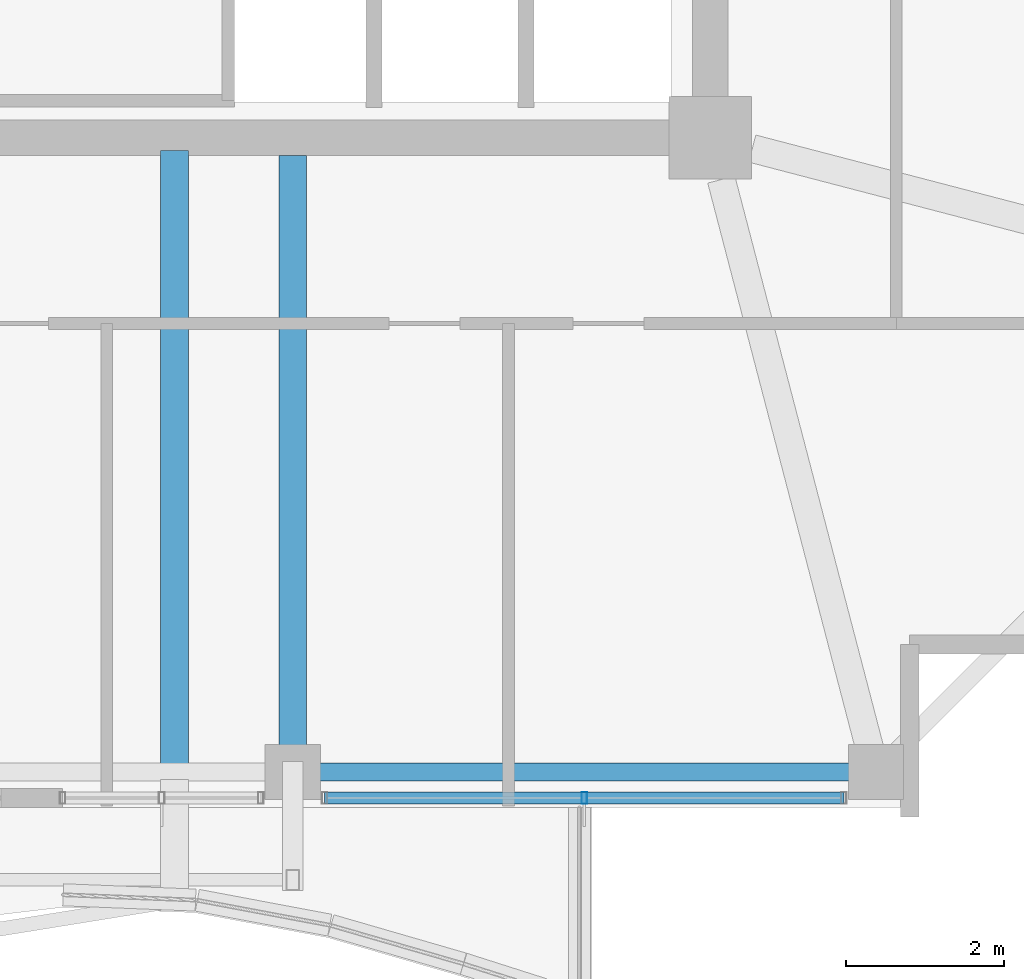
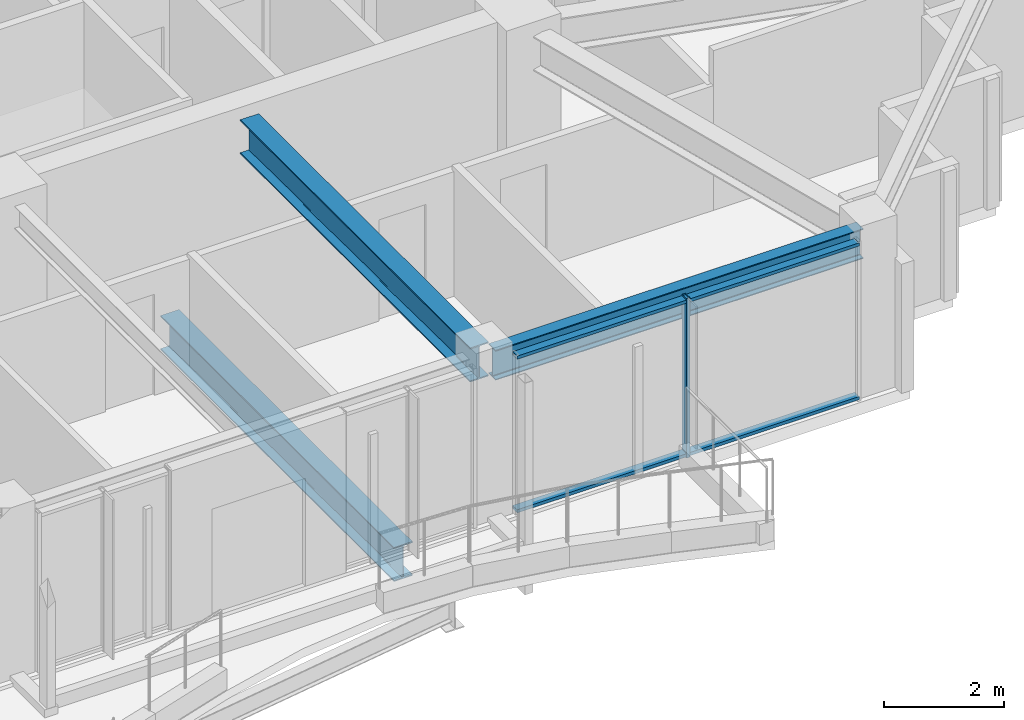
# One storey, part 5 of 34: 3 beams, 3 members, 1 element without a shape of its own.
"""IFC4 building model written with IfcOpenShell, lengths in metres."""

from ifc_helpers import new_model, si_unit, direction, frame, origin, origin_2d, place, context, subcontext, project, spatial, hollow_rectangle, i_section, extrude, material, material_profile, profile_set, type_object, element, aggregate, save


model = new_model("IFC4")

# Units and contexts
model_context = context("Model", 3, precision=1e-05, world=origin(), true_north=direction((0.0, 1.0)))
body_context = subcontext(model_context, "Body", "Model", "MODEL_VIEW")
ifc_project = project(units=[si_unit("LENGTHUNIT", "METRE"), si_unit("AREAUNIT", "SQUARE_METRE"), si_unit("VOLUMEUNIT", "CUBIC_METRE"), si_unit("PLANEANGLEUNIT", "RADIAN"), si_unit("MASSUNIT", "GRAM", prefix="KILO")], contexts=[model_context])

# Site, building, storey
site_placement = place(None, origin())
site = spatial("IfcSite", under=ifc_project, at=site_placement, CompositionType="ELEMENT")
building_placement = place(site_placement, origin())
building = spatial("IfcBuilding", under=site, at=building_placement, Name="Kolvaren Belvedere", CompositionType="ELEMENT")
storey_placement = place(building_placement, frame((0.0, 0.0, 240.89990234375)))
storey = spatial("IfcBuildingStorey", under=building, at=storey_placement, Name="L70", CompositionType="ELEMENT", Elevation=240.89990234375)

# Beams
ifc_material_1 = material(Name="Structural steel ASTM A992 Grade 50", Category="steel")
ifc_material_profile_1 = material_profile(ifc_material_1, i_section(OverallWidth=0.35498046875, OverallDepth=0.696044921875, WebThickness=0.015380859375, FlangeThickness=0.02490234375, FilletRadius=0.02197265625, at=origin_2d()), Name="W27X146")
ifc_profile_set_1 = profile_set([ifc_material_profile_1], Name="Structural steel ASTM A992 Grade 50")
beam_type_1 = type_object("IfcBeamType", Name="BM-GIRD-W27X146", PredefinedType="BEAM", material=ifc_profile_set_1)
beam_1_placement = place(storey_placement, frame((3.10009765625, -10.06494140625, -0.597900390625), z_axis=(0.0, -1.0, 0.0), x_axis=(1.0, 0.0, 0.0)))
element("IfcBeam", 1, at=beam_1_placement, inside=storey, type_object=beam_type_1, Name="L70 Balcony Interior Back-Span Girder BAL-S-2", PredefinedType="BEAM", context=body_context, shape_type="SweptSolid", body=[
    extrude(i_section(OverallWidth=0.35498046875, OverallDepth=0.696044921875, WebThickness=0.015380859375, FlangeThickness=0.02490234375, FilletRadius=0.02197265625, at=origin_2d()), origin(), (0.0, 0.0, 1.0), 7.7900390625),
])
beam_2_placement = place(storey_placement, frame((4.60009765625, -10.125, 2.902099609375), z_axis=(0.0, -1.0, 0.0), x_axis=(1.0, 0.0, 0.0)))
element("IfcBeam", 2, at=beam_2_placement, inside=storey, type_object=beam_type_1, Name="L70 South Radial Girder P", PredefinedType="BEAM", context=body_context, shape_type="SweptSolid", body=[
    extrude(i_section(OverallWidth=0.35498046875, OverallDepth=0.696044921875, WebThickness=0.015380859375, FlangeThickness=0.02490234375, FilletRadius=0.02197265625, at=origin_2d()), origin(), (0.0, 0.0, 1.0), 7.66748046875),
])
ifc_material_2 = material(Name="Structural steel ASTM A992 Grade 50", Category="steel")
ifc_material_profile_2 = material_profile(ifc_material_2, i_section(OverallWidth=0.22900390625, OverallDepth=0.612060546875, WebThickness=0.011962890625, FlangeThickness=0.01953125, FilletRadius=0.01806640625, at=origin_2d()), Name="W24X84")
ifc_profile_set_2 = profile_set([ifc_material_profile_2], Name="Structural steel ASTM A992 Grade 50")
beam_type_2 = type_object("IfcBeamType", Name="BM-SPAN-W24X84", PredefinedType="SPANDREL", material=ifc_profile_set_2)
beam_3_placement = place(storey_placement, frame((4.757568359375, -17.949951171875, 2.944091796875), z_axis=(1.0, 0.0, 0.0), x_axis=(0.0, 1.0, 0.0)))
element("IfcBeam", 3, at=beam_3_placement, inside=storey, type_object=beam_type_2, Name="L70 Perimeter Spandrel S3-S4", PredefinedType="SPANDREL", context=body_context, shape_type="SweptSolid", body=[
    extrude(i_section(OverallWidth=0.22900390625, OverallDepth=0.612060546875, WebThickness=0.011962890625, FlangeThickness=0.01953125, FilletRadius=0.01806640625, at=origin_2d()), origin(), (0.0, 0.0, 1.0), 7.0849609375),
])

# Curtain wall, members
ifc_material_3 = material(Name="Anodised pale-metal aluminium AA 6063-T6", Category="aluminium")
curtain_wall_type = type_object("IfcCurtainWallType", Name="CW-Z5-HIGH", PredefinedType="NOTDEFINED", material=ifc_material_3)
curtain_wall_placement = place(storey_placement, origin())
curtain_wall = element("IfcCurtainWall", 4, at=curtain_wall_placement, inside=storey, type_object=curtain_wall_type, Name="L70 Unitised Curtain Wall FCW-L70-S1-B1", PredefinedType="NOTDEFINED")
ifc_material_4 = material(Name="Anodised pale-metal aluminium AA 6063-T6", Category="aluminium")
ifc_material_profile_3 = material_profile(ifc_material_4, hollow_rectangle(XDim=0.070068359375, YDim=0.14990234375, WallThickness=0.004150390625, at=origin_2d()), Name="ALU-MUL-150X70")
ifc_profile_set_3 = profile_set([ifc_material_profile_3], Name="Anodised pale-metal aluminium AA 6063-T6")
member_type_1 = type_object("IfcMemberType", Name="CW-MUL-150", PredefinedType="MULLION", material=ifc_profile_set_3)
member_1_placement = place(storey_placement, frame((8.300048828125, -18.280029296875, 0.0), z_axis=(0.0, 0.0, 1.0), x_axis=(1.0, 0.0, 0.0)))
member_1 = element("IfcMember", 5, at=member_1_placement, type_object=member_type_1, Name="FCW-L70-S1-B1 Unitised Mullion 2", PredefinedType="MULLION", context=body_context, shape_type="SweptSolid", body=[
    extrude(hollow_rectangle(XDim=0.070068359375, YDim=0.14990234375, WallThickness=0.004150390625, at=origin_2d()), origin(), (0.0, 0.0, 1.0), 3.25),
])
ifc_material_5 = material(Name="Anodised pale-metal aluminium AA 6063-T6", Category="aluminium")
ifc_material_profile_4 = material_profile(ifc_material_5, hollow_rectangle(XDim=0.06494140625, YDim=0.14990234375, WallThickness=0.00390625, at=origin_2d()), Name="ALU-TRN-150X65")
ifc_profile_set_4 = profile_set([ifc_material_profile_4], Name="Anodised pale-metal aluminium AA 6063-T6")
member_type_2 = type_object("IfcMemberType", Name="CW-TRN-150", PredefinedType="USERDEFINED", material=ifc_profile_set_4)
member_2_placement = place(storey_placement, frame((11.594970703125, -18.280029296875, 0.06005859375), z_axis=(-1.0, 0.0, 0.0), x_axis=(0.0, 0.0, 1.0)))
member_2 = element("IfcMember", 6, at=member_2_placement, type_object=member_type_2, Name="FCW-L70-S1-B1 Sill Transom", ObjectType="TRANSOM", PredefinedType="USERDEFINED", context=body_context, shape_type="SweptSolid", body=[
    extrude(hollow_rectangle(XDim=0.06494140625, YDim=0.14990234375, WallThickness=0.00390625, at=origin_2d()), origin(), (0.0, 0.0, 1.0), 6.590087890625),
])
member_3_placement = place(storey_placement, frame((11.594970703125, -18.280029296875, 3.190185546875), z_axis=(-1.0, 0.0, 0.0), x_axis=(0.0, 0.0, 1.0)))
member_3 = element("IfcMember", 7, at=member_3_placement, type_object=member_type_2, Name="FCW-L70-S1-B1 Head Transom", ObjectType="TRANSOM", PredefinedType="USERDEFINED", context=body_context, shape_type="SweptSolid", body=[
    extrude(hollow_rectangle(XDim=0.06494140625, YDim=0.14990234375, WallThickness=0.00390625, at=origin_2d()), origin(), (0.0, 0.0, 1.0), 6.590087890625),
])
aggregate(curtain_wall, [member_1, member_2, member_3])

save(model, "model.ifc")
